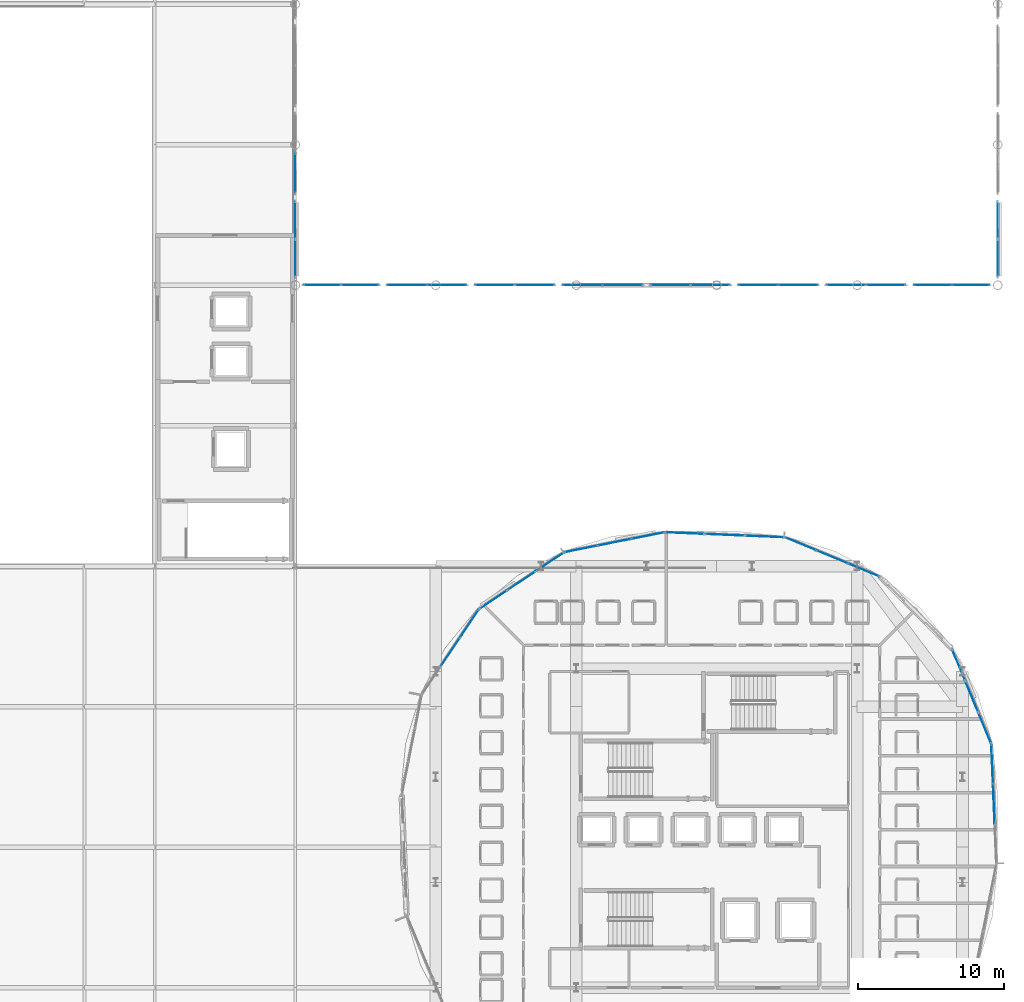
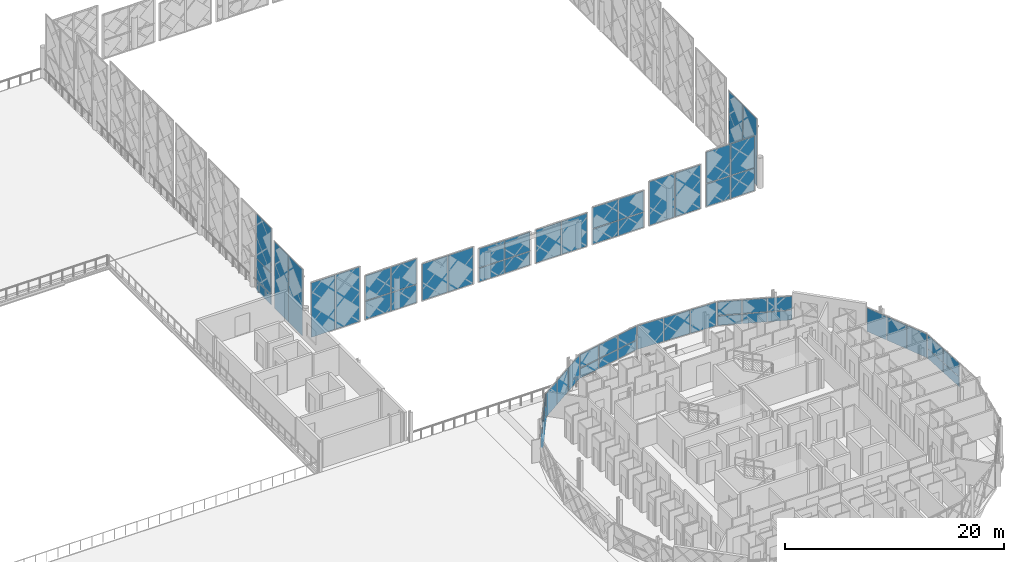
# One storey, part 25 of 53: 59 plates, 18 elements without a shape of their own.
"""IFC4 building model written with IfcOpenShell, lengths in metres."""

from ifc_helpers import new_model, si_unit, direction, frame, origin, origin_2d, place, context, subcontext, project, spatial, rectangle, extrude, material, layer, layer_set, type_object, element, aggregate, save


model = new_model("IFC4")

# Units and contexts
model_context = context("Model", 3, precision=1e-05, world=origin(), true_north=direction((0.0, 1.0)))
body_context = subcontext(model_context, "Body", "Model", "MODEL_VIEW")
ifc_project = project(units=[si_unit("LENGTHUNIT", "METRE"), si_unit("AREAUNIT", "SQUARE_METRE"), si_unit("VOLUMEUNIT", "CUBIC_METRE"), si_unit("PLANEANGLEUNIT", "RADIAN"), si_unit("MASSUNIT", "GRAM", prefix="KILO")], contexts=[model_context])

# Site, building, storey
site_placement = place(None, origin())
site = spatial("IfcSite", under=ifc_project, at=site_placement, CompositionType="ELEMENT")
building_placement = place(site_placement, origin())
building = spatial("IfcBuilding", under=site, at=building_placement, Name="Zevrakil Square Congress Hotel", CompositionType="ELEMENT")
storey_placement = place(building_placement, frame((0.0, 0.0, 14.699951171875)))
storey = spatial("IfcBuildingStorey", under=building, at=storey_placement, Name="L04", CompositionType="ELEMENT", Elevation=14.699951171875)

# Curtain wall, plate
ifc_material_1 = material(Name="Aluminium Anodised Bronze", Category="aluminium")
ifc_layer_1 = layer(ifc_material_1, 0.179931640625)
ifc_layer_set_1 = layer_set([ifc_layer_1], Name="Aluminium Anodised Bronze")
curtain_wall_type_1 = type_object("IfcCurtainWallType", Name="CW-L01-560", PredefinedType="USERDEFINED", material=ifc_layer_set_1)
curtain_wall_1_placement = place(storey_placement, origin())
curtain_wall_1 = element("IfcCurtainWall", 1, at=curtain_wall_1_placement, inside=storey, type_object=curtain_wall_type_1, Name="L04 diamond curtain wall CW-L04-0068", ObjectType="GLAZED CURTAIN WALL", PredefinedType="USERDEFINED")
ifc_material_2 = material(Name="Low-E Solar Control Double Glazing", Category="glass")
ifc_layer_2 = layer(ifc_material_2, 0.028076171875)
ifc_layer_set_2 = layer_set([ifc_layer_2], Name="Low-E Solar Control Double Glazing")
plate_type_1 = type_object("IfcPlateType", Name="CWP-GLAZ-28", PredefinedType="CURTAIN_PANEL", material=ifc_layer_set_2)
plate_1_placement = place(storey_placement, frame((117.60009765625, 72.43994140625, 3.416015625), z_axis=(0.0, 0.0, 1.0), x_axis=(0.0, 1.0, 0.0)))
plate_1 = element("IfcPlate", 2, at=plate_1_placement, type_object=plate_type_1, Name="CW-08 panel 1.2", PredefinedType="CURTAIN_PANEL", context=body_context, shape_type="SweptSolid", body=[
    extrude(rectangle(XDim=2.659912109375, YDim=0.028076171875, at=origin_2d()), origin(), (0.0, 0.0, 1.0), 4.945068359375),
])

curtain_wall_2_placement = place(storey_placement, origin())
curtain_wall_2 = element("IfcCurtainWall", 3, at=curtain_wall_2_placement, inside=storey, type_object=curtain_wall_type_1, Name="L04 diamond curtain wall CW-L04-0075", ObjectType="GLAZED CURTAIN WALL", PredefinedType="USERDEFINED")
plate_2_placement = place(storey_placement, frame((165.60009765625, 69.2275390625, -0.199951171875), z_axis=(0.0, 0.0, 1.0), x_axis=(0.0, 1.0, 0.0)))
plate_2 = element("IfcPlate", 4, at=plate_2_placement, type_object=plate_type_1, Name="CW-08 panel 2.1", PredefinedType="CURTAIN_PANEL", context=body_context, shape_type="SweptSolid", body=[
    extrude(rectangle(XDim=2.52490234375, YDim=0.028076171875, at=origin_2d()), origin(), (0.0, 0.0, 1.0), 7.43603515625),
])

curtain_wall_3_placement = place(storey_placement, origin())
curtain_wall_3 = element("IfcCurtainWall", 5, at=curtain_wall_3_placement, inside=storey, type_object=curtain_wall_type_1, Name="L04 diamond curtain wall CW-L04-0083", ObjectType="GLAZED CURTAIN WALL", PredefinedType="USERDEFINED")
plate_3_placement = place(storey_placement, frame((122.027587890625, 64.800048828125, -0.199951171875), z_axis=(0.0, 0.0, 1.0), x_axis=(1.0, 0.0, 0.0)))
plate_3 = element("IfcPlate", 6, at=plate_3_placement, type_object=plate_type_1, Name="CW-08 panel 2.1", PredefinedType="CURTAIN_PANEL", context=body_context, shape_type="SweptSolid", body=[
    extrude(rectangle(XDim=2.52490234375, YDim=0.028076171875, at=origin_2d()), origin(), (0.0, 0.0, 1.0), 6.080078125),
])

# Curtain wall, plates
curtain_wall_4_placement = place(storey_placement, origin())
curtain_wall_4 = element("IfcCurtainWall", 7, at=curtain_wall_4_placement, inside=storey, type_object=curtain_wall_type_1, Name="L04 diamond curtain wall CW-L04-0084", ObjectType="GLAZED CURTAIN WALL", PredefinedType="USERDEFINED")
plate_4_placement = place(storey_placement, frame((125.239990234375, 64.800048828125, -0.2001953125), z_axis=(0.0, 0.0, 1.0), x_axis=(1.0, 0.0, 0.0)))
plate_4 = element("IfcPlate", 8, at=plate_4_placement, type_object=plate_type_1, Name="CW-08 panel 1.1", PredefinedType="CURTAIN_PANEL", context=body_context, shape_type="SweptSolid", body=[
    extrude(rectangle(XDim=2.659912109375, YDim=0.028076171875, at=origin_2d()), origin(), (0.0, 0.0, 1.0), 2.010009765625),
])
plate_5_placement = place(storey_placement, frame((127.9599609375, 64.800048828125, -0.2001953125), z_axis=(0.0, 0.0, 1.0), x_axis=(1.0, 0.0, 0.0)))
plate_5 = element("IfcPlate", 9, at=plate_5_placement, type_object=plate_type_1, Name="CW-08 panel 2.1", PredefinedType="CURTAIN_PANEL", context=body_context, shape_type="SweptSolid", body=[
    extrude(rectangle(XDim=2.659912109375, YDim=0.028076171875, at=origin_2d()), origin(), (0.0, 0.0, 1.0), 2.010009765625),
])

# Curtain wall, plate
curtain_wall_5_placement = place(storey_placement, origin())
curtain_wall_5 = element("IfcCurtainWall", 10, at=curtain_wall_5_placement, inside=storey, type_object=curtain_wall_type_1, Name="L04 diamond curtain wall CW-L04-0085", ObjectType="GLAZED CURTAIN WALL", PredefinedType="USERDEFINED")
plate_6_placement = place(storey_placement, frame((133.9599609375, 64.800048828125, -0.199951171875), z_axis=(0.0, 0.0, 1.0), x_axis=(1.0, 0.0, 0.0)))
plate_6 = element("IfcPlate", 11, at=plate_6_placement, type_object=plate_type_1, Name="CW-08 panel 2.1", PredefinedType="CURTAIN_PANEL", context=body_context, shape_type="SweptSolid", body=[
    extrude(rectangle(XDim=2.659912109375, YDim=0.028076171875, at=origin_2d()), origin(), (0.0, 0.0, 1.0), 4.080078125),
])

# Curtain wall, plates
curtain_wall_6_placement = place(storey_placement, origin())
curtain_wall_6 = element("IfcCurtainWall", 12, at=curtain_wall_6_placement, inside=storey, type_object=curtain_wall_type_1, Name="L04 diamond curtain wall CW-L04-0086", ObjectType="GLAZED CURTAIN WALL", PredefinedType="USERDEFINED")
plate_7_placement = place(storey_placement, frame((137.239990234375, 64.800048828125, -0.2001953125), z_axis=(0.0, 0.0, 1.0), x_axis=(1.0, 0.0, 0.0)))
plate_7 = element("IfcPlate", 13, at=plate_7_placement, type_object=plate_type_1, Name="CW-08 panel 1.1", PredefinedType="CURTAIN_PANEL", context=body_context, shape_type="SweptSolid", body=[
    extrude(rectangle(XDim=2.659912109375, YDim=0.028076171875, at=origin_2d()), origin(), (0.0, 0.0, 1.0), 1.506103515625),
])
plate_8_placement = place(storey_placement, frame((139.9599609375, 64.800048828125, 1.3662109375), z_axis=(0.0, 0.0, 1.0), x_axis=(1.0, 0.0, 0.0)))
plate_8 = element("IfcPlate", 14, at=plate_8_placement, type_object=plate_type_1, Name="CW-08 panel 2.2", PredefinedType="CURTAIN_PANEL", context=body_context, shape_type="SweptSolid", body=[
    extrude(rectangle(XDim=2.659912109375, YDim=0.028076171875, at=origin_2d()), origin(), (0.0, 0.0, 1.0), 2.114013671875),
])

curtain_wall_7_placement = place(storey_placement, origin())
curtain_wall_7 = element("IfcCurtainWall", 15, at=curtain_wall_7_placement, inside=storey, type_object=curtain_wall_type_1, Name="L04 diamond curtain wall CW-L04-0088", ObjectType="GLAZED CURTAIN WALL", PredefinedType="USERDEFINED")
plate_9_placement = place(storey_placement, frame((149.239990234375, 64.800048828125, 1.5341796875), z_axis=(0.0, 0.0, 1.0), x_axis=(1.0, 0.0, 0.0)))
plate_9 = element("IfcPlate", 16, at=plate_9_placement, type_object=plate_type_1, Name="CW-08 panel 1.2", PredefinedType="CURTAIN_PANEL", context=body_context, shape_type="SweptSolid", body=[
    extrude(rectangle(XDim=2.659912109375, YDim=0.028076171875, at=origin_2d()), origin(), (0.0, 0.0, 1.0), 2.345947265625),
])
plate_10_placement = place(storey_placement, frame((151.9599609375, 64.800048828125, 1.5341796875), z_axis=(0.0, 0.0, 1.0), x_axis=(1.0, 0.0, 0.0)))
plate_10 = element("IfcPlate", 17, at=plate_10_placement, type_object=plate_type_1, Name="CW-08 panel 2.2", PredefinedType="CURTAIN_PANEL", context=body_context, shape_type="SweptSolid", body=[
    extrude(rectangle(XDim=2.659912109375, YDim=0.028076171875, at=origin_2d()), origin(), (0.0, 0.0, 1.0), 2.345947265625),
])

# Curtain wall, plate
curtain_wall_8_placement = place(storey_placement, origin())
curtain_wall_8 = element("IfcCurtainWall", 18, at=curtain_wall_8_placement, inside=storey, type_object=curtain_wall_type_1, Name="L04 diamond curtain wall CW-L04-0089", ObjectType="GLAZED CURTAIN WALL", PredefinedType="USERDEFINED")
plate_11_placement = place(storey_placement, frame((155.239990234375, 64.800048828125, -0.199951171875), z_axis=(0.0, 0.0, 1.0), x_axis=(1.0, 0.0, 0.0)))
plate_11 = element("IfcPlate", 19, at=plate_11_placement, type_object=plate_type_1, Name="CW-08 panel 1.1", PredefinedType="CURTAIN_PANEL", context=body_context, shape_type="SweptSolid", body=[
    extrude(rectangle(XDim=2.659912109375, YDim=0.028076171875, at=origin_2d()), origin(), (0.0, 0.0, 1.0), 4.8798828125),
])

curtain_wall_9_placement = place(storey_placement, origin())
curtain_wall_9 = element("IfcCurtainWall", 20, at=curtain_wall_9_placement, inside=storey, type_object=curtain_wall_type_1, Name="L04 diamond curtain wall CW-L04-0090", ObjectType="GLAZED CURTAIN WALL", PredefinedType="USERDEFINED")
plate_12_placement = place(storey_placement, frame((161.172607421875, 64.800048828125, 2.3740234375), z_axis=(0.0, 0.0, 1.0), x_axis=(1.0, 0.0, 0.0)))
plate_12 = element("IfcPlate", 21, at=plate_12_placement, type_object=plate_type_1, Name="CW-08 panel 1.2", PredefinedType="CURTAIN_PANEL", context=body_context, shape_type="SweptSolid", body=[
    extrude(rectangle(XDim=2.52490234375, YDim=0.028076171875, at=origin_2d()), origin(), (0.0, 0.0, 1.0), 3.506103515625),
])

# Curtain wall, plates
ifc_material_3 = material(Name="Aluminium Anodised Bronze", Category="aluminium")
ifc_layer_3 = layer(ifc_material_3, 0.179931640625)
ifc_layer_set_3 = layer_set([ifc_layer_3], Name="Aluminium Anodised Bronze")
curtain_wall_type_2 = type_object("IfcCurtainWallType", Name="CW-L04-840", PredefinedType="USERDEFINED", material=ifc_layer_set_3)
curtain_wall_10_placement = place(storey_placement, origin())
curtain_wall_10 = element("IfcCurtainWall", 22, at=curtain_wall_10_placement, inside=storey, type_object=curtain_wall_type_2, Name="L04 diamond curtain wall CW-L04-0172", ObjectType="GLAZED CURTAIN WALL", PredefinedType="USERDEFINED")
plate_13_placement = place(storey_placement, frame((165.33740234375, 29.351318359375, 0.06005859375), z_axis=(0.0, 0.0, 1.0), x_axis=(-0.041970582763, 0.999118846876, 0.0)))
plate_13 = element("IfcPlate", 23, at=plate_13_placement, type_object=plate_type_1, Name="CW-47 panel 2.1", PredefinedType="CURTAIN_PANEL", context=body_context, shape_type="SweptSolid", body=[
    extrude(rectangle(XDim=2.679931640625, YDim=0.028076171875, at=origin_2d()), origin(), (0.0, 0.0, 1.0), 1.06494140625),
])
plate_14_placement = place(storey_placement, frame((165.22314453125, 32.073974609375, 0.06005859375), z_axis=(0.0, 0.0, 1.0), x_axis=(-0.041970582763, 0.999118846876, 0.0)))
plate_14 = element("IfcPlate", 24, at=plate_14_placement, type_object=plate_type_1, Name="CW-47 panel 3.1", PredefinedType="CURTAIN_PANEL", context=body_context, shape_type="SweptSolid", body=[
    extrude(rectangle(XDim=2.64990234375, YDim=0.028076171875, at=origin_2d()), origin(), (0.0, 0.0, 1.0), 1.06494140625),
])

# Curtain wall, plate
ifc_material_4 = material(Name="Aluminium Anodised Bronze", Category="aluminium")
ifc_layer_4 = layer(ifc_material_4, 0.179931640625)
ifc_layer_set_4 = layer_set([ifc_layer_4], Name="Aluminium Anodised Bronze")
curtain_wall_type_3 = type_object("IfcCurtainWallType", Name="CW-L04-720", PredefinedType="USERDEFINED", material=ifc_layer_set_4)
curtain_wall_11_placement = place(storey_placement, origin())
curtain_wall_11 = element("IfcCurtainWall", 25, at=curtain_wall_11_placement, inside=storey, type_object=curtain_wall_type_3, Name="L04 diamond curtain wall CW-L04-0173", ObjectType="GLAZED CURTAIN WALL", PredefinedType="USERDEFINED")
plate_15_placement = place(storey_placement, frame((163.824462890625, 36.694091796875, 0.06005859375), z_axis=(0.0, 0.0, 1.0), x_axis=(-0.382683763454, 0.92387939537, 0.0)))
plate_15 = element("IfcPlate", 26, at=plate_15_placement, type_object=plate_type_1, Name="CW-46 panel 2.1", PredefinedType="CURTAIN_PANEL", context=body_context, shape_type="SweptSolid", body=[
    extrude(rectangle(XDim=2.275146484375, YDim=0.028076171875, at=origin_2d()), origin(), (0.0, 0.0, 1.0), 2.639892578125),
])

# Curtain wall, plates
curtain_wall_12_placement = place(storey_placement, origin())
curtain_wall_12 = element("IfcCurtainWall", 27, at=curtain_wall_12_placement, inside=storey, type_object=curtain_wall_type_3, Name="L04 diamond curtain wall CW-L04-0174", ObjectType="GLAZED CURTAIN WALL", PredefinedType="USERDEFINED")
plate_16_placement = place(storey_placement, frame((156.437744140625, 45.336669921875, 0.06005859375), z_axis=(0.0, 0.0, 1.0), x_axis=(-0.92387939537, 0.382683763454, 0.0)))
plate_16 = element("IfcPlate", 28, at=plate_16_placement, type_object=plate_type_1, Name="CW-46 panel 1.1", PredefinedType="CURTAIN_PANEL", context=body_context, shape_type="SweptSolid", body=[
    extrude(rectangle(XDim=2.245361328125, YDim=0.028076171875, at=origin_2d()), origin(), (0.0, 0.0, 1.0), 1.069091796875),
])
plate_17_placement = place(storey_placement, frame((154.2939453125, 46.224609375, 0.06005859375), z_axis=(0.0, 0.0, 1.0), x_axis=(-0.92387939537, 0.382683763454, 0.0)))
plate_17 = element("IfcPlate", 29, at=plate_17_placement, type_object=plate_type_1, Name="CW-46 panel 2.1", PredefinedType="CURTAIN_PANEL", context=body_context, shape_type="SweptSolid", body=[
    extrude(rectangle(XDim=2.275146484375, YDim=0.028076171875, at=origin_2d()), origin(), (0.0, 0.0, 1.0), 1.069091796875),
])
plate_18_placement = place(storey_placement, frame((152.150390625, 47.1123046875, 1.189208984375), z_axis=(0.0, 0.0, 1.0), x_axis=(-0.92387939537, 0.382683763454, 0.0)))
plate_18 = element("IfcPlate", 30, at=plate_18_placement, type_object=plate_type_1, Name="CW-46 panel 3.2", PredefinedType="CURTAIN_PANEL", context=body_context, shape_type="SweptSolid", body=[
    extrude(rectangle(XDim=2.245361328125, YDim=0.028076171875, at=origin_2d()), origin(), (0.0, 0.0, 1.0), 1.5107421875),
])

# Curtain wall, plate
curtain_wall_13_placement = place(storey_placement, origin())
curtain_wall_13 = element("IfcCurtainWall", 31, at=curtain_wall_13_placement, inside=storey, type_object=curtain_wall_type_2, Name="L04 diamond curtain wall CW-L04-0175", ObjectType="GLAZED CURTAIN WALL", PredefinedType="USERDEFINED")
plate_19_placement = place(storey_placement, frame((146.951416015625, 47.737548828125, 0.06005859375), z_axis=(0.0, 0.0, 1.0), x_axis=(-0.999118846876, 0.041970582763, 0.0)))
plate_19 = element("IfcPlate", 32, at=plate_19_placement, type_object=plate_type_1, Name="CW-47 panel 2.1", PredefinedType="CURTAIN_PANEL", context=body_context, shape_type="SweptSolid", body=[
    extrude(rectangle(XDim=2.679931640625, YDim=0.028076171875, at=origin_2d()), origin(), (0.0, 0.0, 1.0), 2.6298828125),
])

# Curtain wall, plates
curtain_wall_14_placement = place(storey_placement, origin())
curtain_wall_14 = element("IfcCurtainWall", 33, at=curtain_wall_14_placement, inside=storey, type_object=curtain_wall_type_3, Name="L04 diamond curtain wall CW-L04-0176", ObjectType="GLAZED CURTAIN WALL", PredefinedType="USERDEFINED")
plate_20_placement = place(storey_placement, frame((141.68505859375, 47.67919921875, 0.06005859375), z_axis=(0.0, 0.0, 1.0), x_axis=(-0.980786557708, -0.195083900459, 0.0)))
plate_20 = element("IfcPlate", 34, at=plate_20_placement, type_object=plate_type_1, Name="CW-46 panel 1.1", PredefinedType="CURTAIN_PANEL", context=body_context, shape_type="SweptSolid", body=[
    extrude(rectangle(XDim=2.2451171875, YDim=0.028076171875, at=origin_2d()), origin(), (0.0, 0.0, 1.0), 1.06494140625),
])
plate_21_placement = place(storey_placement, frame((139.409423828125, 47.2265625, 1.18505859375), z_axis=(0.0, 0.0, 1.0), x_axis=(-0.980786557708, -0.195083900459, 0.0)))
plate_21 = element("IfcPlate", 35, at=plate_21_placement, type_object=plate_type_1, Name="CW-46 panel 2.2", PredefinedType="CURTAIN_PANEL", context=body_context, shape_type="SweptSolid", body=[
    extrude(rectangle(XDim=2.275146484375, YDim=0.028076171875, at=origin_2d()), origin(), (0.0, 0.0, 1.0), 1.5048828125),
])
plate_22_placement = place(storey_placement, frame((137.1337890625, 46.77392578125, 1.18505859375), z_axis=(0.0, 0.0, 1.0), x_axis=(-0.980786557708, -0.195083900459, 0.0)))
plate_22 = element("IfcPlate", 36, at=plate_22_placement, type_object=plate_type_1, Name="CW-46 panel 3.2", PredefinedType="CURTAIN_PANEL", context=body_context, shape_type="SweptSolid", body=[
    extrude(rectangle(XDim=2.2451171875, YDim=0.028076171875, at=origin_2d()), origin(), (0.0, 0.0, 1.0), 1.5048828125),
])

# Curtain wall, plate
curtain_wall_15_placement = place(storey_placement, origin())
curtain_wall_15 = element("IfcCurtainWall", 37, at=curtain_wall_15_placement, inside=storey, type_object=curtain_wall_type_3, Name="L04 diamond curtain wall CW-L04-0177", ObjectType="GLAZED CURTAIN WALL", PredefinedType="USERDEFINED")
plate_23_placement = place(storey_placement, frame((131.13232421875, 43.30810546875, 0.06005859375), z_axis=(0.0, 0.0, 1.0), x_axis=(-0.831465693332, -0.555576098128, 0.0)))
plate_23 = element("IfcPlate", 38, at=plate_23_placement, type_object=plate_type_1, Name="CW-46 panel 3.1", PredefinedType="CURTAIN_PANEL", context=body_context, shape_type="SweptSolid", body=[
    extrude(rectangle(XDim=2.2451171875, YDim=0.028076171875, at=origin_2d()), origin(), (0.0, 0.0, 1.0), 2.639892578125),
])

# Curtain wall, plates
curtain_wall_16_placement = place(storey_placement, origin())
curtain_wall_16 = element("IfcCurtainWall", 39, at=curtain_wall_16_placement, inside=storey, type_object=curtain_wall_type_3, Name="L04 diamond curtain wall CW-L04-0178", ObjectType="GLAZED CURTAIN WALL", PredefinedType="USERDEFINED")
plate_24_placement = place(storey_placement, frame((129.491943359375, 41.667724609375, 1.189208984375), z_axis=(0.0, 0.0, 1.0), x_axis=(-0.555576098128, -0.831465693332, 0.0)))
plate_24 = element("IfcPlate", 40, at=plate_24_placement, type_object=plate_type_1, Name="CW-46 panel 1.2", PredefinedType="CURTAIN_PANEL", context=body_context, shape_type="SweptSolid", body=[
    extrude(rectangle(XDim=2.2451171875, YDim=0.028076171875, at=origin_2d()), origin(), (0.0, 0.0, 1.0), 1.5107421875),
])
plate_25_placement = place(storey_placement, frame((128.202880859375, 39.738525390625, 1.189208984375), z_axis=(0.0, 0.0, 1.0), x_axis=(-0.555576098128, -0.831465693332, 0.0)))
plate_25 = element("IfcPlate", 41, at=plate_25_placement, type_object=plate_type_1, Name="CW-46 panel 2.2", PredefinedType="CURTAIN_PANEL", context=body_context, shape_type="SweptSolid", body=[
    extrude(rectangle(XDim=2.275146484375, YDim=0.028076171875, at=origin_2d()), origin(), (0.0, 0.0, 1.0), 1.5107421875),
])

# Curtain wall, plate
curtain_wall_17_placement = place(storey_placement, origin())
curtain_wall_17 = element("IfcCurtainWall", 42, at=curtain_wall_17_placement, inside=storey, type_object=curtain_wall_type_1, Name="L04 diamond curtain wall CW-L04-0067", ObjectType="GLAZED CURTAIN WALL", PredefinedType="USERDEFINED")
ifc_material_5 = material(Name="Basalt Grey Ribbed GRC Panel", Category="masonry")
ifc_layer_5 = layer(ifc_material_5, 0.0439453125)
ifc_layer_set_5 = layer_set([ifc_layer_5], Name="Basalt Grey Ribbed GRC Panel")
plate_type_2 = type_object("IfcPlateType", Name="CWP-GRCG-44", PredefinedType="CURTAIN_PANEL", material=ifc_layer_set_5)
plate_26_placement = place(storey_placement, frame((117.60009765625, 69.2275390625, -0.199951171875), z_axis=(0.0, 0.0, 1.0), x_axis=(0.0, 1.0, 0.0)))
plate_26 = element("IfcPlate", 43, at=plate_26_placement, type_object=plate_type_2, Name="CW-08 panel 2.1", PredefinedType="CURTAIN_PANEL", context=body_context, shape_type="SweptSolid", body=[
    extrude(rectangle(XDim=2.52490234375, YDim=0.028076171875, at=origin_2d()), origin(), (0.0, 0.0, 1.0), 7.43603515625),
])

# Plate
plate_27_placement = place(storey_placement, frame((117.60009765625, 72.43994140625, -0.19970703125), z_axis=(0.0, 0.0, 1.0), x_axis=(0.0, 1.0, 0.0)))
plate_27 = element("IfcPlate", 44, at=plate_27_placement, type_object=plate_type_2, Name="CW-08 panel 1.1", PredefinedType="CURTAIN_PANEL", context=body_context, shape_type="SweptSolid", body=[
    extrude(rectangle(XDim=2.659912109375, YDim=0.028076171875, at=origin_2d()), origin(), (0.0, 0.0, 1.0), 3.555908203125),
])

aggregate(curtain_wall_1, [plate_27, plate_1])

plate_28_placement = place(storey_placement, frame((119.4423828125, 64.800048828125, -0.199951171875), z_axis=(0.0, 0.0, 1.0), x_axis=(1.0, 0.0, 0.0)))
plate_28 = element("IfcPlate", 45, at=plate_28_placement, type_object=plate_type_2, Name="CW-08 panel 1.1", PredefinedType="CURTAIN_PANEL", context=body_context, shape_type="SweptSolid", body=[
    extrude(rectangle(XDim=2.52490234375, YDim=0.028076171875, at=origin_2d()), origin(), (0.0, 0.0, 1.0), 6.080078125),
])

aggregate(curtain_wall_3, [plate_28, plate_3])

plate_29_placement = place(storey_placement, frame((139.9599609375, 64.800048828125, -0.2001953125), z_axis=(0.0, 0.0, 1.0), x_axis=(1.0, 0.0, 0.0)))
plate_29 = element("IfcPlate", 46, at=plate_29_placement, type_object=plate_type_2, Name="CW-08 panel 2.1", PredefinedType="CURTAIN_PANEL", context=body_context, shape_type="SweptSolid", body=[
    extrude(rectangle(XDim=2.659912109375, YDim=0.028076171875, at=origin_2d()), origin(), (0.0, 0.0, 1.0), 1.506103515625),
])

# Curtain wall, plate
curtain_wall_18_placement = place(storey_placement, origin())
curtain_wall_18 = element("IfcCurtainWall", 47, at=curtain_wall_18_placement, inside=storey, type_object=curtain_wall_type_1, Name="L04 diamond curtain wall CW-L04-0087", ObjectType="GLAZED CURTAIN WALL", PredefinedType="USERDEFINED")
plate_30_placement = place(storey_placement, frame((145.9599609375, 64.800048828125, -0.19970703125), z_axis=(0.0, 0.0, 1.0), x_axis=(1.0, 0.0, 0.0)))
plate_30 = element("IfcPlate", 48, at=plate_30_placement, type_object=plate_type_2, Name="CW-08 panel 2.1", PredefinedType="CURTAIN_PANEL", context=body_context, shape_type="SweptSolid", body=[
    extrude(rectangle(XDim=2.659912109375, YDim=0.028076171875, at=origin_2d()), origin(), (0.0, 0.0, 1.0), 3.679931640625),
])

# Plate
plate_31_placement = place(storey_placement, frame((149.239990234375, 64.800048828125, -0.2001953125), z_axis=(0.0, 0.0, 1.0), x_axis=(1.0, 0.0, 0.0)))
plate_31 = element("IfcPlate", 49, at=plate_31_placement, type_object=plate_type_2, Name="CW-08 panel 1.1", PredefinedType="CURTAIN_PANEL", context=body_context, shape_type="SweptSolid", body=[
    extrude(rectangle(XDim=2.659912109375, YDim=0.028076171875, at=origin_2d()), origin(), (0.0, 0.0, 1.0), 1.674072265625),
])

plate_32_placement = place(storey_placement, frame((163.757568359375, 64.800048828125, 2.3740234375), z_axis=(0.0, 0.0, 1.0), x_axis=(1.0, 0.0, 0.0)))
plate_32 = element("IfcPlate", 50, at=plate_32_placement, type_object=plate_type_2, Name="CW-08 panel 2.2", PredefinedType="CURTAIN_PANEL", context=body_context, shape_type="SweptSolid", body=[
    extrude(rectangle(XDim=2.52490234375, YDim=0.028076171875, at=origin_2d()), origin(), (0.0, 0.0, 1.0), 3.506103515625),
])

plate_33_placement = place(storey_placement, frame((164.71240234375, 34.55029296875, 0.06005859375), z_axis=(0.0, 0.0, 1.0), x_axis=(-0.382683763454, 0.92387939537, 0.0)))
plate_33 = element("IfcPlate", 51, at=plate_33_placement, type_object=plate_type_2, Name="CW-46 panel 1.1", PredefinedType="CURTAIN_PANEL", context=body_context, shape_type="SweptSolid", body=[
    extrude(rectangle(XDim=2.245361328125, YDim=0.028076171875, at=origin_2d()), origin(), (0.0, 0.0, 1.0), 2.639892578125),
])

plate_34_placement = place(storey_placement, frame((152.150390625, 47.1123046875, 0.06005859375), z_axis=(0.0, 0.0, 1.0), x_axis=(-0.92387939537, 0.382683763454, 0.0)))
plate_34 = element("IfcPlate", 52, at=plate_34_placement, type_object=plate_type_2, Name="CW-46 panel 3.1", PredefinedType="CURTAIN_PANEL", context=body_context, shape_type="SweptSolid", body=[
    extrude(rectangle(XDim=2.245361328125, YDim=0.028076171875, at=origin_2d()), origin(), (0.0, 0.0, 1.0), 1.069091796875),
])

plate_35_placement = place(storey_placement, frame((139.409423828125, 47.2265625, 0.06005859375), z_axis=(0.0, 0.0, 1.0), x_axis=(-0.980786557708, -0.195083900459, 0.0)))
plate_35 = element("IfcPlate", 53, at=plate_35_placement, type_object=plate_type_2, Name="CW-46 panel 2.1", PredefinedType="CURTAIN_PANEL", context=body_context, shape_type="SweptSolid", body=[
    extrude(rectangle(XDim=2.275146484375, YDim=0.028076171875, at=origin_2d()), origin(), (0.0, 0.0, 1.0), 1.06494140625),
])

plate_36_placement = place(storey_placement, frame((133.061279296875, 44.59716796875, 0.06005859375), z_axis=(0.0, 0.0, 1.0), x_axis=(-0.831465693332, -0.555576098128, 0.0)))
plate_36 = element("IfcPlate", 54, at=plate_36_placement, type_object=plate_type_2, Name="CW-46 panel 2.1", PredefinedType="CURTAIN_PANEL", context=body_context, shape_type="SweptSolid", body=[
    extrude(rectangle(XDim=2.275146484375, YDim=0.028076171875, at=origin_2d()), origin(), (0.0, 0.0, 1.0), 2.639892578125),
])

plate_37_placement = place(storey_placement, frame((129.491943359375, 41.667724609375, 0.06005859375), z_axis=(0.0, 0.0, 1.0), x_axis=(-0.555576098128, -0.831465693332, 0.0)))
plate_37 = element("IfcPlate", 55, at=plate_37_placement, type_object=plate_type_2, Name="CW-46 panel 1.1", PredefinedType="CURTAIN_PANEL", context=body_context, shape_type="SweptSolid", body=[
    extrude(rectangle(XDim=2.2451171875, YDim=0.028076171875, at=origin_2d()), origin(), (0.0, 0.0, 1.0), 1.069091796875),
])

ifc_material_6 = material(Name="White Ribbed Highland GRC Panel", Category="concrete")
ifc_layer_6 = layer(ifc_material_6, 0.0400390625)
ifc_layer_set_6 = layer_set([ifc_layer_6], Name="White Ribbed Highland GRC Panel")
plate_type_3 = type_object("IfcPlateType", Name="CWP-GRCW-40", PredefinedType="CURTAIN_PANEL", material=ifc_layer_set_6)
plate_38_placement = place(storey_placement, frame((117.60009765625, 66.642578125, -0.199951171875), z_axis=(0.0, 0.0, 1.0), x_axis=(0.0, 1.0, 0.0)))
plate_38 = element("IfcPlate", 56, at=plate_38_placement, type_object=plate_type_3, Name="CW-08 panel 1.1", PredefinedType="CURTAIN_PANEL", context=body_context, shape_type="SweptSolid", body=[
    extrude(rectangle(XDim=2.52490234375, YDim=0.028076171875, at=origin_2d()), origin(), (0.0, 0.0, 1.0), 7.43603515625),
])

aggregate(curtain_wall_17, [plate_38, plate_26])

plate_39_placement = place(storey_placement, frame((165.60009765625, 66.642578125, -0.199951171875), z_axis=(0.0, 0.0, 1.0), x_axis=(0.0, 1.0, 0.0)))
plate_39 = element("IfcPlate", 57, at=plate_39_placement, type_object=plate_type_3, Name="CW-08 panel 1.1", PredefinedType="CURTAIN_PANEL", context=body_context, shape_type="SweptSolid", body=[
    extrude(rectangle(XDim=2.52490234375, YDim=0.028076171875, at=origin_2d()), origin(), (0.0, 0.0, 1.0), 7.43603515625),
])

aggregate(curtain_wall_2, [plate_39, plate_2])

plate_40_placement = place(storey_placement, frame((125.239990234375, 64.800048828125, 1.8701171875), z_axis=(0.0, 0.0, 1.0), x_axis=(1.0, 0.0, 0.0)))
plate_40 = element("IfcPlate", 58, at=plate_40_placement, type_object=plate_type_3, Name="CW-08 panel 1.2", PredefinedType="CURTAIN_PANEL", context=body_context, shape_type="SweptSolid", body=[
    extrude(rectangle(XDim=2.659912109375, YDim=0.028076171875, at=origin_2d()), origin(), (0.0, 0.0, 1.0), 2.81005859375),
])

plate_41_placement = place(storey_placement, frame((127.9599609375, 64.800048828125, 1.8701171875), z_axis=(0.0, 0.0, 1.0), x_axis=(1.0, 0.0, 0.0)))
plate_41 = element("IfcPlate", 59, at=plate_41_placement, type_object=plate_type_3, Name="CW-08 panel 2.2", PredefinedType="CURTAIN_PANEL", context=body_context, shape_type="SweptSolid", body=[
    extrude(rectangle(XDim=2.659912109375, YDim=0.028076171875, at=origin_2d()), origin(), (0.0, 0.0, 1.0), 2.81005859375),
])

aggregate(curtain_wall_4, [plate_4, plate_40, plate_5, plate_41])

plate_42_placement = place(storey_placement, frame((131.239990234375, 64.800048828125, -0.199951171875), z_axis=(0.0, 0.0, 1.0), x_axis=(1.0, 0.0, 0.0)))
plate_42 = element("IfcPlate", 60, at=plate_42_placement, type_object=plate_type_3, Name="CW-08 panel 1.1", PredefinedType="CURTAIN_PANEL", context=body_context, shape_type="SweptSolid", body=[
    extrude(rectangle(XDim=2.659912109375, YDim=0.028076171875, at=origin_2d()), origin(), (0.0, 0.0, 1.0), 4.080078125),
])

aggregate(curtain_wall_5, [plate_42, plate_6])

plate_43_placement = place(storey_placement, frame((137.239990234375, 64.800048828125, 1.3662109375), z_axis=(0.0, 0.0, 1.0), x_axis=(1.0, 0.0, 0.0)))
plate_43 = element("IfcPlate", 61, at=plate_43_placement, type_object=plate_type_3, Name="CW-08 panel 1.2", PredefinedType="CURTAIN_PANEL", context=body_context, shape_type="SweptSolid", body=[
    extrude(rectangle(XDim=2.659912109375, YDim=0.028076171875, at=origin_2d()), origin(), (0.0, 0.0, 1.0), 2.114013671875),
])

aggregate(curtain_wall_6, [plate_7, plate_43, plate_29, plate_8])

plate_44_placement = place(storey_placement, frame((143.239990234375, 64.800048828125, -0.19970703125), z_axis=(0.0, 0.0, 1.0), x_axis=(1.0, 0.0, 0.0)))
plate_44 = element("IfcPlate", 62, at=plate_44_placement, type_object=plate_type_3, Name="CW-08 panel 1.1", PredefinedType="CURTAIN_PANEL", context=body_context, shape_type="SweptSolid", body=[
    extrude(rectangle(XDim=2.659912109375, YDim=0.028076171875, at=origin_2d()), origin(), (0.0, 0.0, 1.0), 3.679931640625),
])

aggregate(curtain_wall_18, [plate_44, plate_30])

plate_45_placement = place(storey_placement, frame((151.9599609375, 64.800048828125, -0.2001953125), z_axis=(0.0, 0.0, 1.0), x_axis=(1.0, 0.0, 0.0)))
plate_45 = element("IfcPlate", 63, at=plate_45_placement, type_object=plate_type_3, Name="CW-08 panel 2.1", PredefinedType="CURTAIN_PANEL", context=body_context, shape_type="SweptSolid", body=[
    extrude(rectangle(XDim=2.659912109375, YDim=0.028076171875, at=origin_2d()), origin(), (0.0, 0.0, 1.0), 1.674072265625),
])

aggregate(curtain_wall_7, [plate_31, plate_9, plate_45, plate_10])

plate_46_placement = place(storey_placement, frame((157.9599609375, 64.800048828125, -0.199951171875), z_axis=(0.0, 0.0, 1.0), x_axis=(1.0, 0.0, 0.0)))
plate_46 = element("IfcPlate", 64, at=plate_46_placement, type_object=plate_type_3, Name="CW-08 panel 2.1", PredefinedType="CURTAIN_PANEL", context=body_context, shape_type="SweptSolid", body=[
    extrude(rectangle(XDim=2.659912109375, YDim=0.028076171875, at=origin_2d()), origin(), (0.0, 0.0, 1.0), 4.8798828125),
])

aggregate(curtain_wall_8, [plate_11, plate_46])

plate_47_placement = place(storey_placement, frame((161.172607421875, 64.800048828125, -0.19970703125), z_axis=(0.0, 0.0, 1.0), x_axis=(1.0, 0.0, 0.0)))
plate_47 = element("IfcPlate", 65, at=plate_47_placement, type_object=plate_type_3, Name="CW-08 panel 1.1", PredefinedType="CURTAIN_PANEL", context=body_context, shape_type="SweptSolid", body=[
    extrude(rectangle(XDim=2.52490234375, YDim=0.028076171875, at=origin_2d()), origin(), (0.0, 0.0, 1.0), 2.513916015625),
])

plate_48_placement = place(storey_placement, frame((163.757568359375, 64.800048828125, -0.19970703125), z_axis=(0.0, 0.0, 1.0), x_axis=(1.0, 0.0, 0.0)))
plate_48 = element("IfcPlate", 66, at=plate_48_placement, type_object=plate_type_3, Name="CW-08 panel 2.1", PredefinedType="CURTAIN_PANEL", context=body_context, shape_type="SweptSolid", body=[
    extrude(rectangle(XDim=2.52490234375, YDim=0.028076171875, at=origin_2d()), origin(), (0.0, 0.0, 1.0), 2.513916015625),
])

aggregate(curtain_wall_9, [plate_47, plate_12, plate_48, plate_32])

plate_49_placement = place(storey_placement, frame((165.33740234375, 29.351318359375, 1.18505859375), z_axis=(0.0, 0.0, 1.0), x_axis=(-0.041970582763, 0.999118846876, 0.0)))
plate_49 = element("IfcPlate", 67, at=plate_49_placement, type_object=plate_type_3, Name="CW-47 panel 2.2", PredefinedType="CURTAIN_PANEL", context=body_context, shape_type="SweptSolid", body=[
    extrude(rectangle(XDim=2.679931640625, YDim=0.028076171875, at=origin_2d()), origin(), (0.0, 0.0, 1.0), 1.5048828125),
])

plate_50_placement = place(storey_placement, frame((165.22314453125, 32.073974609375, 1.18505859375), z_axis=(0.0, 0.0, 1.0), x_axis=(-0.041970582763, 0.999118846876, 0.0)))
plate_50 = element("IfcPlate", 68, at=plate_50_placement, type_object=plate_type_3, Name="CW-47 panel 3.2", PredefinedType="CURTAIN_PANEL", context=body_context, shape_type="SweptSolid", body=[
    extrude(rectangle(XDim=2.64990234375, YDim=0.028076171875, at=origin_2d()), origin(), (0.0, 0.0, 1.0), 1.5048828125),
])

aggregate(curtain_wall_10, [plate_13, plate_49, plate_14, plate_50])

plate_51_placement = place(storey_placement, frame((162.9365234375, 38.837646484375, 0.06005859375), z_axis=(0.0, 0.0, 1.0), x_axis=(-0.382683763454, 0.92387939537, 0.0)))
plate_51 = element("IfcPlate", 69, at=plate_51_placement, type_object=plate_type_3, Name="CW-46 panel 3.1", PredefinedType="CURTAIN_PANEL", context=body_context, shape_type="SweptSolid", body=[
    extrude(rectangle(XDim=2.245361328125, YDim=0.028076171875, at=origin_2d()), origin(), (0.0, 0.0, 1.0), 2.639892578125),
])

aggregate(curtain_wall_11, [plate_33, plate_15, plate_51])

plate_52_placement = place(storey_placement, frame((156.437744140625, 45.336669921875, 1.189208984375), z_axis=(0.0, 0.0, 1.0), x_axis=(-0.92387939537, 0.382683763454, 0.0)))
plate_52 = element("IfcPlate", 70, at=plate_52_placement, type_object=plate_type_3, Name="CW-46 panel 1.2", PredefinedType="CURTAIN_PANEL", context=body_context, shape_type="SweptSolid", body=[
    extrude(rectangle(XDim=2.245361328125, YDim=0.028076171875, at=origin_2d()), origin(), (0.0, 0.0, 1.0), 1.5107421875),
])

plate_53_placement = place(storey_placement, frame((154.2939453125, 46.224609375, 1.189208984375), z_axis=(0.0, 0.0, 1.0), x_axis=(-0.92387939537, 0.382683763454, 0.0)))
plate_53 = element("IfcPlate", 71, at=plate_53_placement, type_object=plate_type_3, Name="CW-46 panel 2.2", PredefinedType="CURTAIN_PANEL", context=body_context, shape_type="SweptSolid", body=[
    extrude(rectangle(XDim=2.275146484375, YDim=0.028076171875, at=origin_2d()), origin(), (0.0, 0.0, 1.0), 1.5107421875),
])

aggregate(curtain_wall_12, [plate_16, plate_52, plate_17, plate_53, plate_34, plate_18])

plate_54_placement = place(storey_placement, frame((149.674072265625, 47.623046875, 0.06005859375), z_axis=(0.0, 0.0, 1.0), x_axis=(-0.999118846876, 0.041970582763, 0.0)))
plate_54 = element("IfcPlate", 72, at=plate_54_placement, type_object=plate_type_3, Name="CW-47 panel 1.1", PredefinedType="CURTAIN_PANEL", context=body_context, shape_type="SweptSolid", body=[
    extrude(rectangle(XDim=2.64990234375, YDim=0.028076171875, at=origin_2d()), origin(), (0.0, 0.0, 1.0), 2.6298828125),
])

plate_55_placement = place(storey_placement, frame((144.228759765625, 47.851806640625, 0.06005859375), z_axis=(0.0, 0.0, 1.0), x_axis=(-0.999118846876, 0.041970582763, 0.0)))
plate_55 = element("IfcPlate", 73, at=plate_55_placement, type_object=plate_type_3, Name="CW-47 panel 3.1", PredefinedType="CURTAIN_PANEL", context=body_context, shape_type="SweptSolid", body=[
    extrude(rectangle(XDim=2.64990234375, YDim=0.028076171875, at=origin_2d()), origin(), (0.0, 0.0, 1.0), 2.6298828125),
])

aggregate(curtain_wall_13, [plate_54, plate_19, plate_55])

plate_56_placement = place(storey_placement, frame((141.68505859375, 47.67919921875, 1.18505859375), z_axis=(0.0, 0.0, 1.0), x_axis=(-0.980786557708, -0.195083900459, 0.0)))
plate_56 = element("IfcPlate", 74, at=plate_56_placement, type_object=plate_type_3, Name="CW-46 panel 1.2", PredefinedType="CURTAIN_PANEL", context=body_context, shape_type="SweptSolid", body=[
    extrude(rectangle(XDim=2.2451171875, YDim=0.028076171875, at=origin_2d()), origin(), (0.0, 0.0, 1.0), 1.5048828125),
])

plate_57_placement = place(storey_placement, frame((137.1337890625, 46.77392578125, 0.06005859375), z_axis=(0.0, 0.0, 1.0), x_axis=(-0.980786557708, -0.195083900459, 0.0)))
plate_57 = element("IfcPlate", 75, at=plate_57_placement, type_object=plate_type_3, Name="CW-46 panel 3.1", PredefinedType="CURTAIN_PANEL", context=body_context, shape_type="SweptSolid", body=[
    extrude(rectangle(XDim=2.2451171875, YDim=0.028076171875, at=origin_2d()), origin(), (0.0, 0.0, 1.0), 1.06494140625),
])

aggregate(curtain_wall_14, [plate_20, plate_56, plate_35, plate_21, plate_57, plate_22])

plate_58_placement = place(storey_placement, frame((134.990478515625, 45.88623046875, 0.06005859375), z_axis=(0.0, 0.0, 1.0), x_axis=(-0.831465693332, -0.555576098128, 0.0)))
plate_58 = element("IfcPlate", 76, at=plate_58_placement, type_object=plate_type_3, Name="CW-46 panel 1.1", PredefinedType="CURTAIN_PANEL", context=body_context, shape_type="SweptSolid", body=[
    extrude(rectangle(XDim=2.2451171875, YDim=0.028076171875, at=origin_2d()), origin(), (0.0, 0.0, 1.0), 2.639892578125),
])

aggregate(curtain_wall_15, [plate_58, plate_36, plate_23])

plate_59_placement = place(storey_placement, frame((128.202880859375, 39.738525390625, 0.06005859375), z_axis=(0.0, 0.0, 1.0), x_axis=(-0.555576098128, -0.831465693332, 0.0)))
plate_59 = element("IfcPlate", 77, at=plate_59_placement, type_object=plate_type_3, Name="CW-46 panel 2.1", PredefinedType="CURTAIN_PANEL", context=body_context, shape_type="SweptSolid", body=[
    extrude(rectangle(XDim=2.275146484375, YDim=0.028076171875, at=origin_2d()), origin(), (0.0, 0.0, 1.0), 1.069091796875),
])

aggregate(curtain_wall_16, [plate_37, plate_24, plate_59, plate_25])

save(model, "model.ifc")
